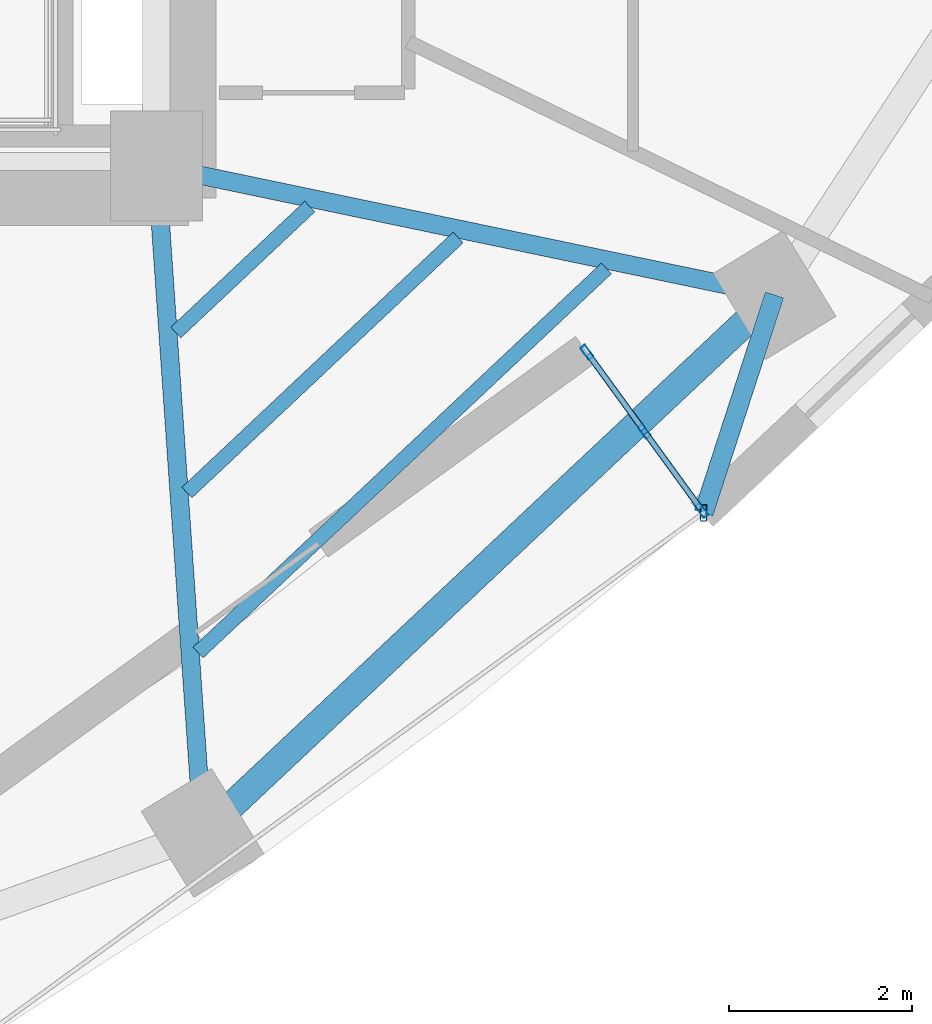
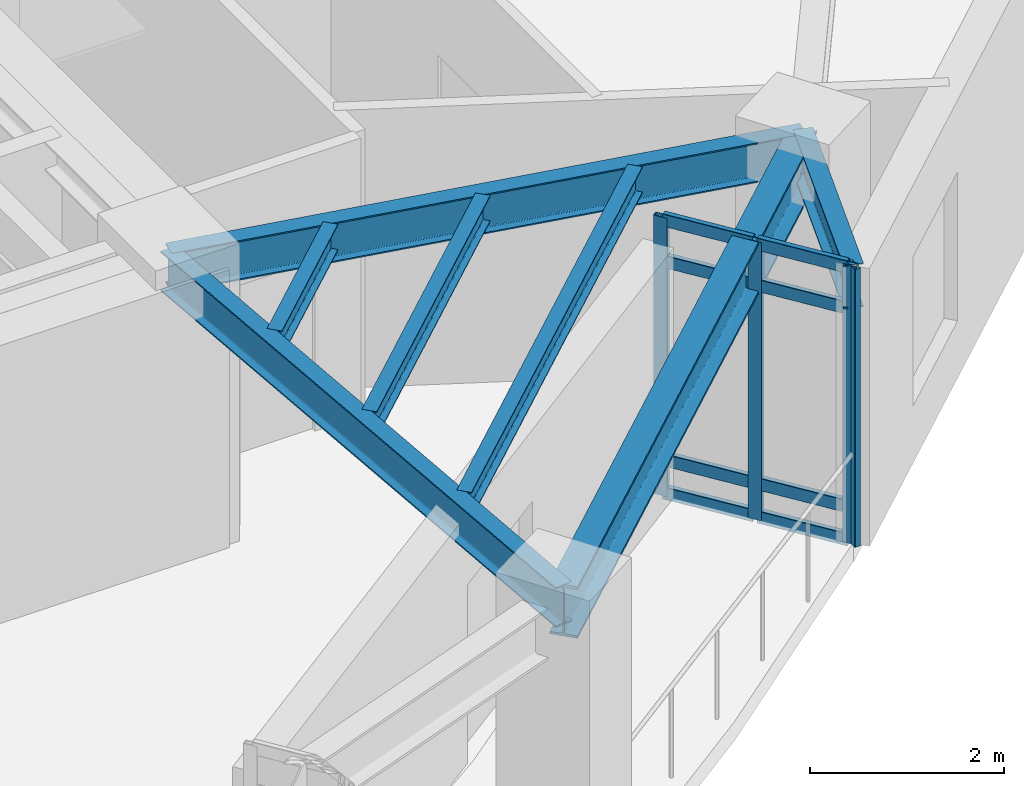
# One storey, part 3 of 12: 12 members, 7 beams, 1 element without a shape of its own.
"""IFC4 building model written with IfcOpenShell, lengths in metres."""

from ifc_helpers import new_model, si_unit, direction, frame, origin, origin_2d, place, context, subcontext, project, spatial, hollow_rectangle, i_section, extrude, material, layer, layer_set, material_profile, profile_set, type_object, element, aggregate, save


model = new_model("IFC4")

# Units and contexts
model_context = context("Model", 3, precision=1e-05, world=origin(), true_north=direction((0.0, 1.0)))
body_context = subcontext(model_context, "Body", "Model", "MODEL_VIEW")
ifc_project = project(units=[si_unit("LENGTHUNIT", "METRE"), si_unit("AREAUNIT", "SQUARE_METRE"), si_unit("VOLUMEUNIT", "CUBIC_METRE"), si_unit("PLANEANGLEUNIT", "RADIAN"), si_unit("MASSUNIT", "GRAM", prefix="KILO")], contexts=[model_context])

# Site, building, storey
site_placement = place(None, origin())
site = spatial("IfcSite", under=ifc_project, at=site_placement, CompositionType="ELEMENT")
building_placement = place(site_placement, origin())
building = spatial("IfcBuilding", under=site, at=building_placement, Name="Ndelora Gate Hotel", CompositionType="ELEMENT")
storey_placement = place(building_placement, frame((0.0, 0.0, 149.75)))
storey = spatial("IfcBuildingStorey", under=building, at=storey_placement, Name="L37", CompositionType="ELEMENT", Elevation=149.75)

# Beams
ifc_material_1 = material(Name="Steel S355", Category="steel")
ifc_material_profile_1 = material_profile(ifc_material_1, i_section(OverallWidth=0.159912109375, OverallDepth=0.330078125, WebThickness=0.007568359375, FlangeThickness=0.011474609375, FilletRadius=0.01806640625, at=origin_2d()), Name="IPE 330")
ifc_profile_set_1 = profile_set([ifc_material_profile_1], Name="Steel S355")
beam_type_1 = type_object("IfcBeamType", Name="BM-JST-330", PredefinedType="JOIST", material=ifc_profile_set_1)
beam_1_placement = place(storey_placement, frame((8.211181640625, -8.4169921875, 3.3349609375), z_axis=(0.728414088998, 0.685137150466, 0.0), x_axis=(-0.685137150466, 0.728414088998, 0.0)))
element("IfcBeam", 1, at=beam_1_placement, inside=storey, type_object=beam_type_1, Name="L37 Secondary Composite Floor Joist IN-7", PredefinedType="JOIST", context=body_context, shape_type="SweptSolid", body=[
    extrude(i_section(OverallWidth=0.159912109375, OverallDepth=0.330078125, WebThickness=0.007568359375, FlangeThickness=0.011474609375, FilletRadius=0.01806640625, at=origin_2d()), origin(), (0.0, 0.0, 1.0), 2.00830078125),
])
beam_2_placement = place(storey_placement, frame((8.33251953125, -10.163818359375, 3.3349609375), z_axis=(0.728369245526, 0.685184823366, 0.0), x_axis=(-0.685184823366, 0.728369245526, 0.0)))
element("IfcBeam", 2, at=beam_2_placement, inside=storey, type_object=beam_type_1, Name="L37 Secondary Composite Floor Joist MID-7", PredefinedType="JOIST", context=body_context, shape_type="SweptSolid", body=[
    extrude(i_section(OverallWidth=0.159912109375, OverallDepth=0.330078125, WebThickness=0.007568359375, FlangeThickness=0.011474609375, FilletRadius=0.01806640625, at=origin_2d()), origin(), (0.0, 0.0, 1.0), 4.06494140625),
])
beam_3_placement = place(storey_placement, frame((8.45361328125, -11.910400390625, 3.3349609375), z_axis=(0.728393161111, 0.68515939959, 0.0), x_axis=(-0.68515939959, 0.728393161111, 0.0)))
element("IfcBeam", 3, at=beam_3_placement, inside=storey, type_object=beam_type_1, Name="L37 Secondary Composite Floor Joist OUT-7", PredefinedType="JOIST", context=body_context, shape_type="SweptSolid", body=[
    extrude(i_section(OverallWidth=0.159912109375, OverallDepth=0.330078125, WebThickness=0.007568359375, FlangeThickness=0.011474609375, FilletRadius=0.01806640625, at=origin_2d()), origin(), (0.0, 0.0, 1.0), 6.121337890625),
])
ifc_material_profile_2 = material_profile(ifc_material_1, i_section(OverallWidth=0.199951171875, OverallDepth=0.5, WebThickness=0.01025390625, FlangeThickness=0.01611328125, FilletRadius=0.02099609375, at=origin_2d()), Name="IPE 500")
ifc_profile_set_2 = profile_set([ifc_material_profile_2], Name="Steel S355")
beam_type_2 = type_object("IfcBeamType", Name="BM-RAD-500", PredefinedType="BEAM", material=ifc_profile_set_2)
beam_4_placement = place(storey_placement, frame((8.0, -6.60009765625, 3.25), z_axis=(0.069137444551, -0.997607144001, 0.0), x_axis=(0.997607144001, 0.069137444551, 0.0)))
element("IfcBeam", 4, at=beam_4_placement, inside=storey, type_object=beam_type_2, Name="L37 Radial Floor Girder 7", PredefinedType="BEAM", context=body_context, shape_type="SweptSolid", body=[
    extrude(i_section(OverallWidth=0.199951171875, OverallDepth=0.5, WebThickness=0.01025390625, FlangeThickness=0.01611328125, FilletRadius=0.02099609375, at=origin_2d()), origin(), (0.0, 0.0, 1.0), 7.295654296875),
])
beam_5_placement = place(storey_placement, frame((8.0, -6.60009765625, 3.25), z_axis=(0.978952706778, -0.204087231083, 0.0), x_axis=(0.204087231083, 0.978952706778, 0.0)))
element("IfcBeam", 5, at=beam_5_placement, inside=storey, type_object=beam_type_2, Name="L37 Radial Floor Girder 8", PredefinedType="BEAM", context=body_context, shape_type="SweptSolid", body=[
    extrude(i_section(OverallWidth=0.199951171875, OverallDepth=0.5, WebThickness=0.01025390625, FlangeThickness=0.01611328125, FilletRadius=0.02099609375, at=origin_2d()), origin(), (0.0, 0.0, 1.0), 6.8916015625),
])
ifc_material_profile_3 = material_profile(ifc_material_1, i_section(OverallWidth=0.2099609375, OverallDepth=0.550048828125, WebThickness=0.010986328125, FlangeThickness=0.01708984375, FilletRadius=0.02392578125, at=origin_2d()), Name="IPE 550")
ifc_profile_set_3 = profile_set([ifc_material_profile_3], Name="Steel S355")
beam_type_3 = type_object("IfcBeamType", Name="BM-RAD-550", PredefinedType="BEAM", material=ifc_profile_set_3)
beam_6_placement = place(storey_placement, frame((14.74658203125, -8.006591796875, 3.22509765625), z_axis=(-0.309075038697, -0.951037654594, 0.0), x_axis=(0.951037654594, -0.309075038697, 0.0)))
element("IfcBeam", 6, at=beam_6_placement, inside=storey, type_object=beam_type_3, Name="L37 Sky-Garden Loggia Column Bracket 3", PredefinedType="BEAM", context=body_context, shape_type="SweptSolid", body=[
    extrude(i_section(OverallWidth=0.2099609375, OverallDepth=0.550048828125, WebThickness=0.010986328125, FlangeThickness=0.01708984375, FilletRadius=0.02392578125, at=origin_2d()), origin(), (0.0, 0.0, 1.0), 2.501708984375),
])
ifc_material_profile_4 = material_profile(ifc_material_1, i_section(OverallWidth=0.300048828125, OverallDepth=0.64990234375, WebThickness=0.01611328125, FlangeThickness=0.031005859375, FilletRadius=0.027099609375, at=origin_2d()), Name="HEB 650")
ifc_profile_set_4 = profile_set([ifc_material_profile_4], Name="Steel S355")
beam_type_4 = type_object("IfcBeamType", Name="BM-RING-650", PredefinedType="SPANDREL", material=ifc_profile_set_4)
beam_7_placement = place(storey_placement, frame((8.50439453125, -13.878173828125, 3.175048828125), z_axis=(0.728399016952, 0.68515317419, 0.0), x_axis=(-0.68515317419, 0.728399016952, 0.0)))
element("IfcBeam", 7, at=beam_7_placement, inside=storey, type_object=beam_type_4, Name="L37 Perimeter Spandrel Girder 7", PredefinedType="SPANDREL", context=body_context, shape_type="SweptSolid", body=[
    extrude(i_section(OverallWidth=0.300048828125, OverallDepth=0.64990234375, WebThickness=0.01611328125, FlangeThickness=0.031005859375, FilletRadius=0.027099609375, at=origin_2d()), origin(), (0.0, 0.0, 1.0), 8.56982421875),
])

# Curtain wall, members
ifc_material_2 = material(Name="Bronze Anodised Unitised Aluminium and Low-E Glass", Category="aluminium")
ifc_layer = layer(ifc_material_2, 0.199951171875)
ifc_layer_set = layer_set([ifc_layer], Name="Bronze Anodised Unitised Aluminium and Low-E Glass")
curtain_wall_type = type_object("IfcCurtainWallType", Name="CW-SYS-3", PredefinedType="NOTDEFINED", material=ifc_layer_set)
curtain_wall_placement = place(storey_placement, origin())
curtain_wall = element("IfcCurtainWall", 8, at=curtain_wall_placement, inside=storey, type_object=curtain_wall_type, Name="L37 Sky-Garden Loggia Side Curtain Wall CW3-2", PredefinedType="NOTDEFINED")
ifc_material_3 = material(Name="Bronze Anodised Aluminium 6063-T6", Category="aluminium")
ifc_material_profile_5 = material_profile(ifc_material_3, hollow_rectangle(XDim=0.06494140625, YDim=0.159912109375, WallThickness=0.00390625, InnerFilletRadius=0.00390625, OuterFilletRadius=0.008056640625, at=origin_2d()), Name="ALU 160x65x4")
ifc_profile_set_5 = profile_set([ifc_material_profile_5], Name="Bronze Anodised Aluminium 6063-T6")
member_type_1 = type_object("IfcMemberType", Name="MB-CW-MUL150", PredefinedType="MULLION", material=ifc_profile_set_5)
member_1_placement = place(storey_placement, frame((13.9541015625, -10.359619140625, -0.00390625), z_axis=(0.0, 0.0, 1.0), x_axis=(-0.809017078969, -0.587785135859, 0.0)))
member_1 = element("IfcMember", 9, at=member_1_placement, type_object=member_type_1, Name="CW3 mullion 1", PredefinedType="MULLION", context=body_context, shape_type="SweptSolid", body=[
    extrude(hollow_rectangle(XDim=0.06494140625, YDim=0.159912109375, WallThickness=0.00390625, InnerFilletRadius=0.00390625, OuterFilletRadius=0.008056640625, at=origin_2d()), origin(), (0.0, 0.0, 1.0), 3.5078125),
])
member_2_placement = place(storey_placement, frame((13.32666015625, -9.495849609375, -0.00390625), z_axis=(0.0, 0.0, 1.0), x_axis=(-0.809017078969, -0.587785135859, 0.0)))
member_2 = element("IfcMember", 10, at=member_2_placement, type_object=member_type_1, Name="CW3 mullion 2", PredefinedType="MULLION", context=body_context, shape_type="SweptSolid", body=[
    extrude(hollow_rectangle(XDim=0.06494140625, YDim=0.159912109375, WallThickness=0.00390625, InnerFilletRadius=0.00390625, OuterFilletRadius=0.008056640625, at=origin_2d()), origin(), (0.0, 0.0, 1.0), 3.5078125),
])
member_3_placement = place(storey_placement, frame((12.69921875, -8.63232421875, -0.00390625), z_axis=(0.0, 0.0, 1.0), x_axis=(-0.809017078969, -0.587785135859, 0.0)))
member_3 = element("IfcMember", 11, at=member_3_placement, type_object=member_type_1, Name="CW3 mullion 3", PredefinedType="MULLION", context=body_context, shape_type="SweptSolid", body=[
    extrude(hollow_rectangle(XDim=0.06494140625, YDim=0.159912109375, WallThickness=0.00390625, InnerFilletRadius=0.00390625, OuterFilletRadius=0.008056640625, at=origin_2d()), origin(), (0.0, 0.0, 1.0), 3.5078125),
])
ifc_material_profile_6 = material_profile(ifc_material_3, hollow_rectangle(XDim=0.070068359375, YDim=0.179931640625, WallThickness=0.0048828125, InnerFilletRadius=0.0048828125, OuterFilletRadius=0.010009765625, at=origin_2d()), Name="ALU 180x70x5")
ifc_profile_set_6 = profile_set([ifc_material_profile_6], Name="Bronze Anodised Aluminium 6063-T6")
member_type_2 = type_object("IfcMemberType", Name="MB-CW-MUL180", PredefinedType="MULLION", material=ifc_profile_set_6)
member_4_placement = place(storey_placement, frame((13.973388671875, -10.3857421875, 0.0), z_axis=(0.0, 0.0, 1.0), x_axis=(1.0, 0.0, 0.0)))
member_4 = element("IfcMember", 12, at=member_4_placement, type_object=member_type_2, Name="L37 Sky-Garden Loggia Corner Mullion Post 2", PredefinedType="MULLION", context=body_context, shape_type="SweptSolid", body=[
    extrude(hollow_rectangle(XDim=0.070068359375, YDim=0.179931640625, WallThickness=0.0048828125, InnerFilletRadius=0.0048828125, OuterFilletRadius=0.010009765625, at=origin_2d()), origin(), (0.0, 0.0, 1.0), 3.5),
])
ifc_material_profile_7 = material_profile(ifc_material_3, hollow_rectangle(XDim=0.06494140625, YDim=0.159912109375, WallThickness=0.00390625, InnerFilletRadius=0.00390625, OuterFilletRadius=0.008056640625, at=origin_2d()), Name="ALU 160x65x4")
ifc_profile_set_7 = profile_set([ifc_material_profile_7], Name="Bronze Anodised Aluminium 6063-T6")
member_type_3 = type_object("IfcMemberType", Name="MB-CW-TRN150", PredefinedType="USERDEFINED", material=ifc_profile_set_7)
member_5_placement = place(storey_placement, frame((13.938720703125, -10.338134765625, 0.032470703125), z_axis=(-0.587842580444, 0.808975339931, 0.0), x_axis=(-0.808975339931, -0.587842580444, 0.0)))
member_5 = element("IfcMember", 13, at=member_5_placement, type_object=member_type_3, Name="CW3 transom 1.1", ObjectType="TRANSOM", PredefinedType="USERDEFINED", context=body_context, shape_type="SweptSolid", body=[
    extrude(hollow_rectangle(XDim=0.06494140625, YDim=0.159912109375, WallThickness=0.00390625, InnerFilletRadius=0.00390625, OuterFilletRadius=0.008056640625, at=origin_2d()), origin(), (0.0, 0.0, 1.0), 1.0146484375),
])
member_6_placement = place(storey_placement, frame((13.938720703125, -10.338134765625, 0.449951171875), z_axis=(-0.587842580444, 0.808975339931, 0.0), x_axis=(-0.808975339931, -0.587842580444, 0.0)))
member_6 = element("IfcMember", 14, at=member_6_placement, type_object=member_type_3, Name="CW3 transom 1.2", ObjectType="TRANSOM", PredefinedType="USERDEFINED", context=body_context, shape_type="SweptSolid", body=[
    extrude(hollow_rectangle(XDim=0.06494140625, YDim=0.159912109375, WallThickness=0.00390625, InnerFilletRadius=0.00390625, OuterFilletRadius=0.008056640625, at=origin_2d()), origin(), (0.0, 0.0, 1.0), 1.0146484375),
])
member_7_placement = place(storey_placement, frame((13.938720703125, -10.338134765625, 2.949951171875), z_axis=(-0.587842580444, 0.808975339931, 0.0), x_axis=(-0.808975339931, -0.587842580444, 0.0)))
member_7 = element("IfcMember", 15, at=member_7_placement, type_object=member_type_3, Name="CW3 transom 1.3", ObjectType="TRANSOM", PredefinedType="USERDEFINED", context=body_context, shape_type="SweptSolid", body=[
    extrude(hollow_rectangle(XDim=0.06494140625, YDim=0.159912109375, WallThickness=0.00390625, InnerFilletRadius=0.00390625, OuterFilletRadius=0.008056640625, at=origin_2d()), origin(), (0.0, 0.0, 1.0), 1.0146484375),
])
member_8_placement = place(storey_placement, frame((13.938720703125, -10.338134765625, 3.467529296875), z_axis=(-0.587842580444, 0.808975339931, 0.0), x_axis=(-0.808975339931, -0.587842580444, 0.0)))
member_8 = element("IfcMember", 16, at=member_8_placement, type_object=member_type_3, Name="CW3 transom 1.4", ObjectType="TRANSOM", PredefinedType="USERDEFINED", context=body_context, shape_type="SweptSolid", body=[
    extrude(hollow_rectangle(XDim=0.06494140625, YDim=0.159912109375, WallThickness=0.00390625, InnerFilletRadius=0.00390625, OuterFilletRadius=0.008056640625, at=origin_2d()), origin(), (0.0, 0.0, 1.0), 1.0146484375),
])
member_9_placement = place(storey_placement, frame((13.311279296875, -9.474365234375, 0.032470703125), z_axis=(-0.587957025258, 0.808892166145, 0.0), x_axis=(-0.808892166145, -0.587957025258, 0.0)))
member_9 = element("IfcMember", 17, at=member_9_placement, type_object=member_type_3, Name="CW3 transom 2.1", ObjectType="TRANSOM", PredefinedType="USERDEFINED", context=body_context, shape_type="SweptSolid", body=[
    extrude(hollow_rectangle(XDim=0.06494140625, YDim=0.159912109375, WallThickness=0.00390625, InnerFilletRadius=0.00390625, OuterFilletRadius=0.008056640625, at=origin_2d()), origin(), (0.0, 0.0, 1.0), 1.014404296875),
])
member_10_placement = place(storey_placement, frame((13.311279296875, -9.474365234375, 0.449951171875), z_axis=(-0.587957025258, 0.808892166145, 0.0), x_axis=(-0.808892166145, -0.587957025258, 0.0)))
member_10 = element("IfcMember", 18, at=member_10_placement, type_object=member_type_3, Name="CW3 transom 2.2", ObjectType="TRANSOM", PredefinedType="USERDEFINED", context=body_context, shape_type="SweptSolid", body=[
    extrude(hollow_rectangle(XDim=0.06494140625, YDim=0.159912109375, WallThickness=0.00390625, InnerFilletRadius=0.00390625, OuterFilletRadius=0.008056640625, at=origin_2d()), origin(), (0.0, 0.0, 1.0), 1.014404296875),
])
member_11_placement = place(storey_placement, frame((13.311279296875, -9.474365234375, 2.949951171875), z_axis=(-0.587957025258, 0.808892166145, 0.0), x_axis=(-0.808892166145, -0.587957025258, 0.0)))
member_11 = element("IfcMember", 19, at=member_11_placement, type_object=member_type_3, Name="CW3 transom 2.3", ObjectType="TRANSOM", PredefinedType="USERDEFINED", context=body_context, shape_type="SweptSolid", body=[
    extrude(hollow_rectangle(XDim=0.06494140625, YDim=0.159912109375, WallThickness=0.00390625, InnerFilletRadius=0.00390625, OuterFilletRadius=0.008056640625, at=origin_2d()), origin(), (0.0, 0.0, 1.0), 1.014404296875),
])
member_12_placement = place(storey_placement, frame((13.311279296875, -9.474365234375, 3.467529296875), z_axis=(-0.587957025258, 0.808892166145, 0.0), x_axis=(-0.808892166145, -0.587957025258, 0.0)))
member_12 = element("IfcMember", 20, at=member_12_placement, type_object=member_type_3, Name="CW3 transom 2.4", ObjectType="TRANSOM", PredefinedType="USERDEFINED", context=body_context, shape_type="SweptSolid", body=[
    extrude(hollow_rectangle(XDim=0.06494140625, YDim=0.159912109375, WallThickness=0.00390625, InnerFilletRadius=0.00390625, OuterFilletRadius=0.008056640625, at=origin_2d()), origin(), (0.0, 0.0, 1.0), 1.014404296875),
])
aggregate(curtain_wall, [member_1, member_2, member_3, member_5, member_6, member_7, member_8, member_9, member_10, member_11, member_12, member_4])

save(model, "model.ifc")
